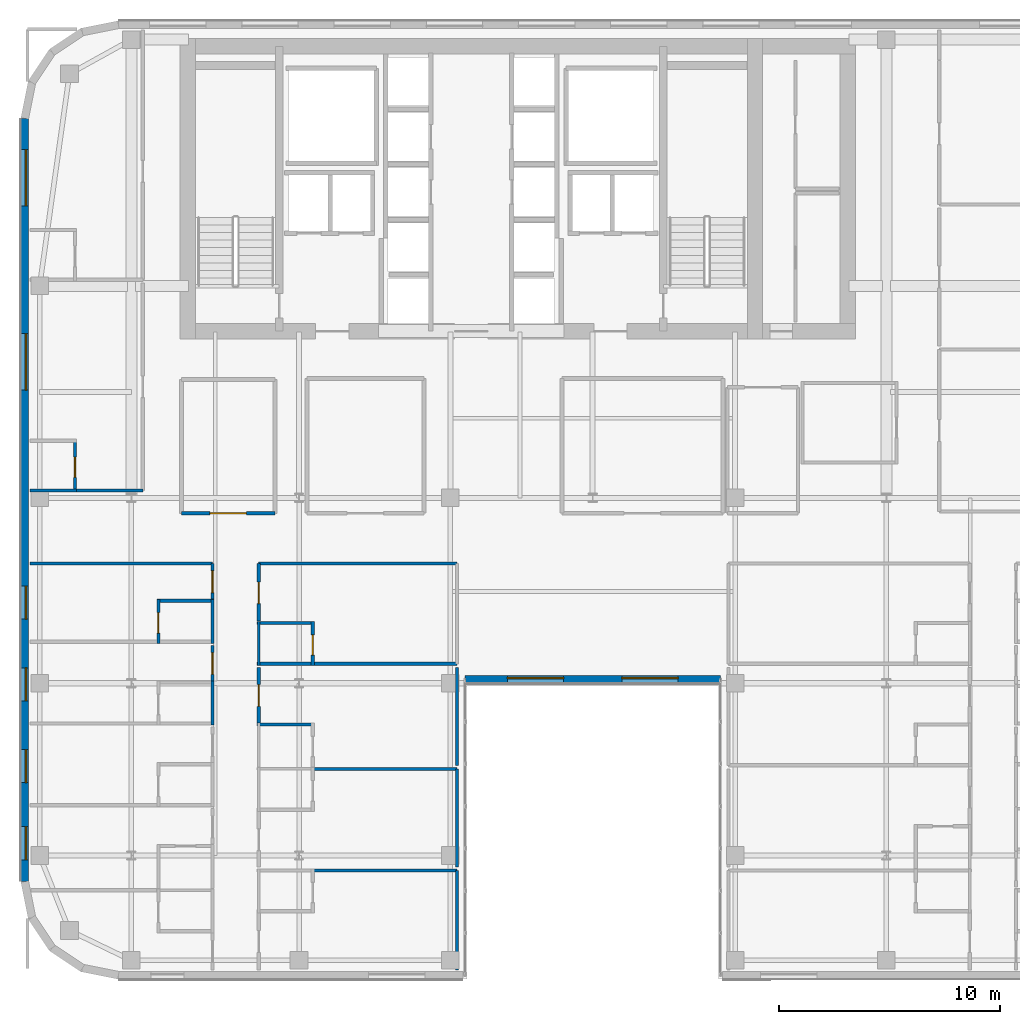
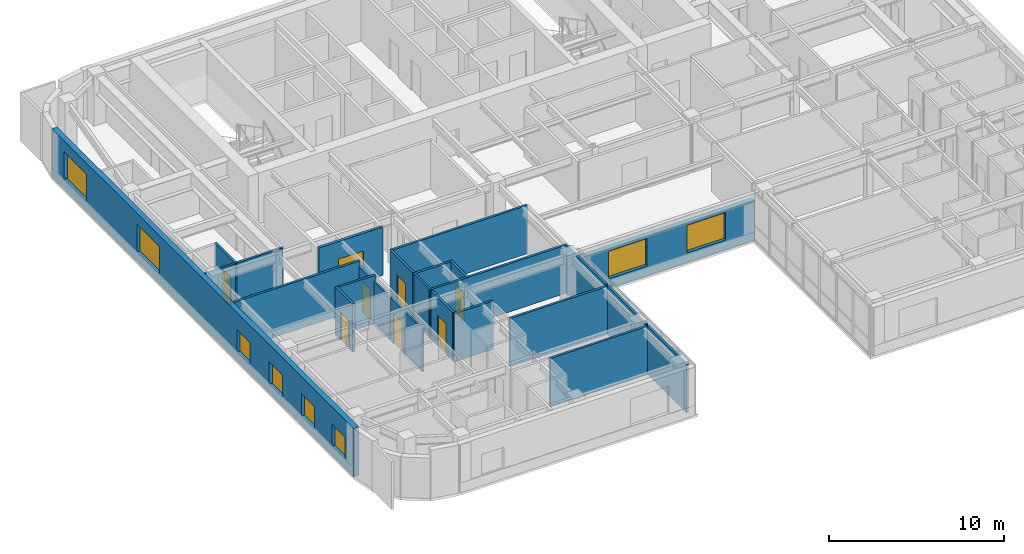
# One storey, part 10 of 21: 26 walls, 8 doors, 8 windows, 16 openings.
"""IFC4 building model written with IfcOpenShell, lengths in metres."""

import ifcopenshell
import ifcopenshell.guid

model = None  # the IFC model being written
_history = None  # IfcOwnerHistory: only IFC2X3 demands one
_inside = {}  # id of a spatial element -> (the spatial element, [elements in it])
_under = {}  # id of a project, library or spatial element -> (it, [spatial elements below it])
_declared = {}  # id of a project -> (the project, [libraries it declares])
_typed = {}  # id of a type object -> (the type object, [elements of that type])
_made_of = {}  # id of a material, layer set ... -> (it, [elements and type objects made of it])


def new_model(schema):
    """Start an empty IFC model of exactly this schema.

    Asked for "IFC4X3", IfcOpenShell would pick the latest addendum, in which some entities
    have other attributes; the version numbers below select the first issue.
    IFC2X3 requires an IfcOwnerHistory on every rooted entity: one is made here for all.
    """
    global model, _history
    if schema == "IFC4X3":
        model = ifcopenshell.file(schema_version=(4, 3, 0, 0))
    else:
        model = ifcopenshell.file(schema=schema)
    _inside.clear()
    _under.clear()
    _declared.clear()
    _typed.clear()
    _made_of.clear()
    _history = None
    if model.schema == "IFC2X3":
        org = make("IfcOrganization", Name="unknown")
        user = make(
            "IfcPersonAndOrganization",
            ThePerson=make("IfcPerson", FamilyName="unknown"),
            TheOrganization=org,
        )
        app = make(
            "IfcApplication",
            ApplicationDeveloper=org,
            Version="unknown",
            ApplicationFullName="unknown",
            ApplicationIdentifier="unknown",
        )
        _history = make(
            "IfcOwnerHistory",
            OwningUser=user,
            OwningApplication=app,
            ChangeAction="ADDED",
            CreationDate=0,
        )
    return model


def make(cls, **values):
    """One entity of the class cls with the attributes given. An attribute that is None is left unset."""
    return model.create_entity(
        cls, **{name: value for name, value in values.items() if value is not None}
    )


def rooted(cls, **values):
    """An entity with a GlobalId (a new one), such as an element, a storey or a relation."""
    return make(cls, GlobalId=ifcopenshell.guid.new(), OwnerHistory=_history, **values)


def si_unit(unit_type, name, prefix=None):
    """IfcSIUnit, for example si_unit("LENGTHUNIT", "METRE", prefix="MILLI")."""
    return make("IfcSIUnit", UnitType=unit_type, Prefix=prefix, Name=name)


def assignment(units):
    """IfcUnitAssignment: the units of a project."""
    return None if units is None else make("IfcUnitAssignment", Units=units)


def point(xyz):
    """IfcCartesianPoint."""
    return None if xyz is None else make("IfcCartesianPoint", Coordinates=xyz)


def direction(xyz):
    """IfcDirection."""
    return None if xyz is None else make("IfcDirection", DirectionRatios=xyz)


def frame(location, z_axis=None, x_axis=None):
    """IfcAxis2Placement3D, a coordinate frame: its origin and axes. An axis left out is left unset."""
    return make(
        "IfcAxis2Placement3D",
        Location=point(location),
        Axis=direction(z_axis),
        RefDirection=direction(x_axis),
    )


def frame_2d(location, x_axis=None):
    """IfcAxis2Placement2D, a coordinate frame in the plane: its origin and x axis."""
    return make(
        "IfcAxis2Placement2D", Location=point(location), RefDirection=direction(x_axis)
    )


def origin():
    """The frame at (0, 0, 0) with its axes left unset."""
    return frame((0.0, 0.0, 0.0))


def place(relative_to, where):
    """IfcLocalPlacement: puts the frame where relative to a parent placement (None: the world)."""
    return make(
        "IfcLocalPlacement", PlacementRelTo=relative_to, RelativePlacement=where
    )


def context(
    kind, dimensions, precision=None, world=None, true_north=None, identifier=None
):
    """IfcGeometricRepresentationContext, for example the 3D "Model" context."""
    return make(
        "IfcGeometricRepresentationContext",
        ContextIdentifier=identifier,
        ContextType=kind,
        CoordinateSpaceDimension=dimensions,
        Precision=precision,
        WorldCoordinateSystem=world,
        TrueNorth=true_north,
    )


def subcontext(parent, identifier, kind, view, scale=None):
    """IfcGeometricRepresentationSubContext, for example "Body" below "Model"."""
    return make(
        "IfcGeometricRepresentationSubContext",
        ContextIdentifier=identifier,
        ContextType=kind,
        ParentContext=parent,
        TargetScale=scale,
        TargetView=view,
    )


def project(units=None, contexts=None):
    """IfcProject with its units and contexts."""
    return rooted(
        "IfcProject",
        Name="project",
        RepresentationContexts=contexts,
        UnitsInContext=assignment(units),
    )


def spatial(cls, under=None, at=None, **own):
    """A site, building, storey or space (cls), placed at a placement, below another one or the project."""
    s = rooted(cls, ObjectPlacement=at, **own)
    if under is not None:
        _under.setdefault(under.id(), (under, []))[1].append(s)
    return s


def profile(cls, at=None, kind="AREA", **sizes):
    """A parametric profile (cls). Its sizes go by their IFC names, for example OverallWidth=200.0."""
    return make(cls, ProfileType=kind, Position=at, **sizes)


def rectangle(**sizes):
    """IfcRectangleProfileDef."""
    return profile("IfcRectangleProfileDef", **sizes)


def extrude(swept, where, along, depth):
    """IfcExtrudedAreaSolid: the profile swept, set in the frame where, extruded along a direction by depth."""
    return make(
        "IfcExtrudedAreaSolid",
        SweptArea=swept,
        Position=where,
        ExtrudedDirection=direction(along),
        Depth=depth,
    )


def shape(context_of_items, identifier, shape_type, items):
    """IfcShapeRepresentation: the items that make up one representation, for example the "Body"."""
    return make(
        "IfcShapeRepresentation",
        ContextOfItems=context_of_items,
        RepresentationIdentifier=identifier,
        RepresentationType=shape_type,
        Items=items,
    )


def source(mapping_origin, context_of_items, identifier, shape_type, items):
    """IfcRepresentationMap: a shape defined once, which mapped items show again and again."""
    return make(
        "IfcRepresentationMap",
        MappingOrigin=mapping_origin,
        MappedRepresentation=shape(context_of_items, identifier, shape_type, items),
    )


def transform(
    local_origin,
    x_axis=None,
    y_axis=None,
    z_axis=None,
    scale=None,
    scale2=None,
    scale3=None,
    uniform=True,
):
    """IfcCartesianTransformationOperator3D, or its non-uniform kind. x_axis, y_axis, z_axis: its Axis1, 2, 3."""
    if uniform:
        return make(
            "IfcCartesianTransformationOperator3D",
            Axis1=direction(x_axis),
            Axis2=direction(y_axis),
            LocalOrigin=point(local_origin),
            Scale=scale,
            Axis3=direction(z_axis),
        )
    return make(
        "IfcCartesianTransformationOperator3DnonUniform",
        Axis1=direction(x_axis),
        Axis2=direction(y_axis),
        LocalOrigin=point(local_origin),
        Scale=scale,
        Axis3=direction(z_axis),
        Scale2=scale2,
        Scale3=scale3,
    )


def mapped(mapping_source, mapping_target):
    """IfcMappedItem: shows the shape of a source again, moved by a transform."""
    return make(
        "IfcMappedItem", MappingSource=mapping_source, MappingTarget=mapping_target
    )


def material(Name=None, Category=None):
    """IfcMaterial."""
    return make("IfcMaterial", Name=Name, Category=Category)


def layer(
    of_material, thickness, ventilated=None, Name=None, Category=None, Priority=None
):
    """IfcMaterialLayer: one layer of a wall or slab, of a material (None: an air gap)."""
    return make(
        "IfcMaterialLayer",
        Material=of_material,
        LayerThickness=thickness,
        IsVentilated=ventilated,
        Name=Name,
        Category=Category,
        Priority=Priority,
    )


def layer_set(layers, Name=None):
    """IfcMaterialLayerSet."""
    return make("IfcMaterialLayerSet", MaterialLayers=layers, LayerSetName=Name)


def made_of(thing, what):
    """Note that an element or type object is made of a material, layer set ...; save() writes the relation."""
    if what is not None:
        _made_of.setdefault(what.id(), (what, []))[1].append(thing)
    return thing


def type_object(cls, material=None, **own):
    """A type object (cls), such as IfcWallType, which elements share."""
    return made_of(rooted(cls, **own), material)


def type_shapes(of_type, sources):
    """Give a type object the sources (RepresentationMaps) that its elements show as mapped items."""
    of_type.RepresentationMaps = sources


def element(
    cls,
    number,
    at=None,
    inside=None,
    cuts=None,
    type_object=None,
    material=None,
    context=None,
    identifier="Body",
    shape_type=None,
    held_by="IfcProductDefinitionShape",
    body=None,
    shapes=None,
    **own,
):
    """One element of the class cls, such as IfcWall. Its Tag is "e" and its number.

    at: its placement. inside: the storey or other place that contains it. cuts: it is an
    opening in that element (IfcRelVoidsElement). A single representation is given by context,
    identifier, shape_type and body (its items); several are given by shapes. held_by: the class
    of the entity that holds the representations. save() writes the other relations.
    """
    e = rooted(cls, Tag="e%d" % number, ObjectPlacement=at, **own)
    if body is not None:
        shapes = [shape(context, identifier, shape_type, body)]
    if shapes is not None:
        e.Representation = make(held_by, Representations=shapes)
    if inside is not None:
        _inside.setdefault(inside.id(), (inside, []))[1].append(e)
    if cuts is not None:
        rooted(
            "IfcRelVoidsElement", RelatingBuildingElement=cuts, RelatedOpeningElement=e
        )
    if type_object is not None:
        _typed.setdefault(type_object.id(), (type_object, []))[1].append(e)
    return made_of(e, material)


def fill(opening, filler):
    """IfcRelFillsElement: the door or window that sits in an opening."""
    return rooted(
        "IfcRelFillsElement",
        RelatingOpeningElement=opening,
        RelatedBuildingElement=filler,
    )


def aggregate(whole, parts):
    """IfcRelAggregates: a whole, such as a stair, and the parts it consists of."""
    return rooted("IfcRelAggregates", RelatingObject=whole, RelatedObjects=parts)


def save(model, path):
    """Write the relations noted so far, then the file.

    IfcRelAggregates (storeys below a building ...), IfcRelContainedInSpatialStructure (elements
    in a storey), IfcRelDefinesByType, IfcRelAssociatesMaterial and IfcRelDeclares: one each for
    every whole, place, type object, material and project.
    """
    for whole, parts in _under.values():
        aggregate(whole, parts)
    for where, things in _inside.values():
        rooted(
            "IfcRelContainedInSpatialStructure",
            RelatedElements=things,
            RelatingStructure=where,
        )
    for kind, things in _typed.values():
        rooted("IfcRelDefinesByType", RelatedObjects=things, RelatingType=kind)
    for what, things in _made_of.values():
        rooted("IfcRelAssociatesMaterial", RelatedObjects=things, RelatingMaterial=what)
    for by, libraries in _declared.values():
        rooted("IfcRelDeclares", RelatingContext=by, RelatedDefinitions=libraries)
    model.write(path)


model = new_model("IFC4")

# Units and contexts
model_context = context("Model", 3, precision=1e-05, world=origin(), true_north=direction((0.0, 1.0)))
body_context = subcontext(model_context, "Body", "Model", "MODEL_VIEW")
ifc_project = project(units=[si_unit("LENGTHUNIT", "METRE"), si_unit("AREAUNIT", "SQUARE_METRE"), si_unit("VOLUMEUNIT", "CUBIC_METRE"), si_unit("PLANEANGLEUNIT", "RADIAN"), si_unit("MASSUNIT", "GRAM", prefix="KILO")], contexts=[model_context])

# Site, building, storey
site_placement = place(None, origin())
site = spatial("IfcSite", under=ifc_project, at=site_placement, CompositionType="ELEMENT")
building_placement = place(site_placement, origin())
building = spatial("IfcBuilding", under=site, at=building_placement, Name="Tolvann Quenvar Hotel", CompositionType="ELEMENT")
storey_placement = place(building_placement, frame((0.0, 0.0, 161.25)))
storey = spatial("IfcBuildingStorey", under=building, at=storey_placement, Name="L42", CompositionType="ELEMENT", Elevation=161.25)

# Wall, openings, windows
ifc_material_1 = material(Name="Kiln-fired red and buff architectural clay brickwork and terracotta masonry", Category="masonry")
ifc_layer_1 = layer(ifc_material_1, 0.35009765625)
ifc_layer_set_1 = layer_set([ifc_layer_1], Name="Kiln-fired red and buff architectural clay brickwork and terracotta masonry")
wall_type_1 = type_object("IfcWallType", Name="WALL_EXT_BRICK_350", PredefinedType="SOLIDWALL", material=ifc_layer_set_1)
wall_1_placement = place(storey_placement, frame((22.7099609375, 16.175048828125, 0.0), z_axis=(0.0, 0.0, 1.0), x_axis=(1.0, 0.0, 0.0)))
wall_1 = element("IfcWall", 1, at=wall_1_placement, inside=storey, type_object=wall_type_1, Name="Exterior Chicago Brick Wall L42-E06", PredefinedType="SOLIDWALL", context=body_context, shape_type="SweptSolid", body=[
    extrude(rectangle(XDim=11.580078125, YDim=0.35009765625, at=frame_2d((5.7900390625, 0.0))), origin(), (0.0, 0.0, 1.0), 2.758056640625),
])
opening_1_placement = place(wall_1_placement, frame((1.919921875, 0.0, 0.679931640625)))
opening_1 = element("IfcOpeningElement", 2, at=opening_1_placement, cuts=wall_1, Name="Opening W-09", PredefinedType="OPENING", context=body_context, shape_type="SweptSolid", body=[
    extrude(rectangle(XDim=2.550048828125, YDim=1.919921875, at=frame_2d((1.27490234375, 0.9599609375))), frame((0.0, 0.18505859375, 0.0), z_axis=(0.0, -1.0, 0.0), x_axis=(1.0, 0.0, 0.0)), (0.0, 0.0, 1.0), 0.3701171875),
])
opening_2_placement = place(wall_1_placement, frame((7.110107421875, 0.0, 0.679931640625)))
opening_2 = element("IfcOpeningElement", 3, at=opening_2_placement, cuts=wall_1, Name="Opening W-09", PredefinedType="OPENING", context=body_context, shape_type="SweptSolid", body=[
    extrude(rectangle(XDim=2.550048828125, YDim=1.919921875, at=frame_2d((1.27490234375, 0.9599609375))), frame((0.0, 0.18505859375, 0.0), z_axis=(0.0, -1.0, 0.0), x_axis=(1.0, 0.0, 0.0)), (0.0, 0.0, 1.0), 0.3701171875),
])
ifc_material_2 = material(Name="Thermally broken bronze-anodised aluminium frame with double low-E glazing", Category="aluminium")
window_type_1 = type_object("IfcWindowType", Name="WIN_LNG_2550x1950", PartitioningType="TRIPLE_PANEL_HORIZONTAL", PredefinedType="WINDOW", material=ifc_material_2)
shared_shape_1 = source(origin(), body_context, "Body", "SweptSolid", [
    extrude(rectangle(XDim=2.550048828125, YDim=1.919921875, at=frame_2d((1.27490234375, 0.9599609375))), frame((0.0, 0.090087890625, 0.0), z_axis=(0.0, -1.0, 0.0), x_axis=(1.0, 0.0, 0.0)), (0.0, 0.0, 1.0), 0.06005859375),
])
type_shapes(window_type_1, [shared_shape_1])
window_1_placement = place(opening_1_placement, origin())
window_1 = element("IfcWindow", 4, at=window_1_placement, inside=storey, type_object=window_type_1, Name="Chicago Window W-09 (EW-L42-E06-W01)", OverallHeight=1.919921875, OverallWidth=2.550048828125, PartitioningType="TRIPLE_PANEL_HORIZONTAL", PredefinedType="WINDOW", context=body_context, shape_type="MappedRepresentation", body=[
    mapped(shared_shape_1, transform((0.0, 0.0, 0.0), x_axis=(1.0, 0.0, 0.0), y_axis=(0.0, 1.0, 0.0), z_axis=(0.0, 0.0, 1.0), scale=1.0)),
])
fill(opening_1, window_1)
window_2_placement = place(opening_2_placement, origin())
window_2 = element("IfcWindow", 5, at=window_2_placement, inside=storey, type_object=window_type_1, Name="Chicago Window W-09 (EW-L42-E06-W02)", OverallHeight=1.919921875, OverallWidth=2.550048828125, PartitioningType="TRIPLE_PANEL_HORIZONTAL", PredefinedType="WINDOW", context=body_context, shape_type="MappedRepresentation", body=[
    mapped(shared_shape_1, transform((0.0, 0.0, 0.0), x_axis=(1.0, 0.0, 0.0), y_axis=(0.0, 1.0, 0.0), z_axis=(0.0, 0.0, 1.0), scale=1.0)),
])
fill(opening_2, window_2)

wall_2_placement = place(storey_placement, frame((2.77490234375, 41.582763671875, 0.0), z_axis=(0.0, 0.0, 1.0), x_axis=(0.0, -1.0, 0.0)))
wall_2 = element("IfcWall", 6, at=wall_2_placement, inside=storey, type_object=wall_type_1, Name="Exterior Chicago Brick Wall L42-E23", PredefinedType="SOLIDWALL", context=body_context, shape_type="SweptSolid", body=[
    extrude(rectangle(XDim=34.565673828125, YDim=0.35009765625, at=frame_2d((17.28271484375, 0.0))), origin(), (0.0, 0.0, 1.0), 3.3701171875),
])
opening_3_placement = place(wall_2_placement, frame((1.409912109375, 0.0, 0.679931640625)))
opening_3 = element("IfcOpeningElement", 7, at=opening_3_placement, cuts=wall_2, Name="Opening W-09", PredefinedType="OPENING", context=body_context, shape_type="SweptSolid", body=[
    extrude(rectangle(XDim=2.550048828125, YDim=1.919921875, at=frame_2d((1.27490234375, 0.9599609375))), frame((0.0, 0.18505859375, 0.0), z_axis=(0.0, -1.0, 0.0), x_axis=(1.0, 0.0, 0.0)), (0.0, 0.0, 1.0), 0.3701171875),
])
opening_4_placement = place(wall_2_placement, frame((9.751953125, 0.0, 0.679931640625)))
opening_4 = element("IfcOpeningElement", 8, at=opening_4_placement, cuts=wall_2, Name="Opening W-09", PredefinedType="OPENING", context=body_context, shape_type="SweptSolid", body=[
    extrude(rectangle(XDim=2.550048828125, YDim=1.919921875, at=frame_2d((1.27490234375, 0.9599609375))), frame((0.0, 0.18505859375, 0.0), z_axis=(0.0, -1.0, 0.0), x_axis=(1.0, 0.0, 0.0)), (0.0, 0.0, 1.0), 0.3701171875),
])
opening_5_placement = place(wall_2_placement, frame((32.0791015625, 0.0, 0.6201171875)))
opening_5 = element("IfcOpeningElement", 9, at=opening_5_placement, cuts=wall_2, Name="Opening W-08", PredefinedType="OPENING", context=body_context, shape_type="SweptSolid", body=[
    extrude(rectangle(XDim=1.5, YDim=1.550048828125, at=frame_2d((0.75, 0.77490234375))), frame((0.0, 0.18505859375, 0.0), z_axis=(0.0, -1.0, 0.0), x_axis=(1.0, 0.0, 0.0)), (0.0, 0.0, 1.0), 0.3701171875),
])
opening_6_placement = place(wall_2_placement, frame((28.5830078125, 0.0, 0.6201171875)))
opening_6 = element("IfcOpeningElement", 10, at=opening_6_placement, cuts=wall_2, Name="Opening W-08", PredefinedType="OPENING", context=body_context, shape_type="SweptSolid", body=[
    extrude(rectangle(XDim=1.5, YDim=1.550048828125, at=frame_2d((0.75, 0.77490234375))), frame((0.0, 0.18505859375, 0.0), z_axis=(0.0, -1.0, 0.0), x_axis=(1.0, 0.0, 0.0)), (0.0, 0.0, 1.0), 0.3701171875),
])
opening_7_placement = place(wall_2_placement, frame((24.883056640625, 0.0, 0.6201171875)))
opening_7 = element("IfcOpeningElement", 11, at=opening_7_placement, cuts=wall_2, Name="Opening W-08", PredefinedType="OPENING", context=body_context, shape_type="SweptSolid", body=[
    extrude(rectangle(XDim=1.5, YDim=1.550048828125, at=frame_2d((0.75, 0.77490234375))), frame((0.0, 0.18505859375, 0.0), z_axis=(0.0, -1.0, 0.0), x_axis=(1.0, 0.0, 0.0)), (0.0, 0.0, 1.0), 0.3701171875),
])
opening_8_placement = place(wall_2_placement, frame((21.18310546875, 0.0, 0.6201171875)))
opening_8 = element("IfcOpeningElement", 12, at=opening_8_placement, cuts=wall_2, Name="Opening W-08", PredefinedType="OPENING", context=body_context, shape_type="SweptSolid", body=[
    extrude(rectangle(XDim=1.5, YDim=1.550048828125, at=frame_2d((0.75, 0.77490234375))), frame((0.0, 0.18505859375, 0.0), z_axis=(0.0, -1.0, 0.0), x_axis=(1.0, 0.0, 0.0)), (0.0, 0.0, 1.0), 0.3701171875),
])
window_type_2 = type_object("IfcWindowType", Name="WIN_COR_1500x2050", PartitioningType="SINGLE_PANEL", PredefinedType="WINDOW", material=ifc_material_2)
shared_shape_2 = source(origin(), body_context, "Body", "SweptSolid", [
    extrude(rectangle(XDim=1.5, YDim=1.550048828125, at=frame_2d((0.75, 0.77490234375))), frame((0.0, 0.090087890625, 0.0), z_axis=(0.0, -1.0, 0.0), x_axis=(1.0, 0.0, 0.0)), (0.0, 0.0, 1.0), 0.06005859375),
])
type_shapes(window_type_2, [shared_shape_2])
window_3_placement = place(opening_5_placement, origin())
window_3 = element("IfcWindow", 13, at=window_3_placement, inside=storey, type_object=window_type_2, Name="Chicago Window W-08 (EW-L42-E23-WD03)", OverallHeight=1.550048828125, OverallWidth=1.5, PartitioningType="SINGLE_PANEL", PredefinedType="WINDOW", context=body_context, shape_type="MappedRepresentation", body=[
    mapped(shared_shape_2, transform((0.0, 0.0, 0.0), x_axis=(1.0, 0.0, 0.0), y_axis=(0.0, 1.0, 0.0), z_axis=(0.0, 0.0, 1.0), scale=1.0)),
])
fill(opening_5, window_3)
window_4_placement = place(opening_6_placement, origin())
window_4 = element("IfcWindow", 14, at=window_4_placement, inside=storey, type_object=window_type_2, Name="Chicago Window W-08 (EW-L42-E23-WD04)", OverallHeight=1.550048828125, OverallWidth=1.5, PartitioningType="SINGLE_PANEL", PredefinedType="WINDOW", context=body_context, shape_type="MappedRepresentation", body=[
    mapped(shared_shape_2, transform((0.0, 0.0, 0.0), x_axis=(1.0, 0.0, 0.0), y_axis=(0.0, 1.0, 0.0), z_axis=(0.0, 0.0, 1.0), scale=1.0)),
])
fill(opening_6, window_4)
window_5_placement = place(opening_7_placement, origin())
window_5 = element("IfcWindow", 15, at=window_5_placement, inside=storey, type_object=window_type_2, Name="Chicago Window W-08 (EW-L42-E23-WD05)", OverallHeight=1.550048828125, OverallWidth=1.5, PartitioningType="SINGLE_PANEL", PredefinedType="WINDOW", context=body_context, shape_type="MappedRepresentation", body=[
    mapped(shared_shape_2, transform((0.0, 0.0, 0.0), x_axis=(1.0, 0.0, 0.0), y_axis=(0.0, 1.0, 0.0), z_axis=(0.0, 0.0, 1.0), scale=1.0)),
])
fill(opening_7, window_5)
window_6_placement = place(opening_8_placement, origin())
window_6 = element("IfcWindow", 16, at=window_6_placement, inside=storey, type_object=window_type_2, Name="Chicago Window W-08 (EW-L42-E23-WD06)", OverallHeight=1.550048828125, OverallWidth=1.5, PartitioningType="SINGLE_PANEL", PredefinedType="WINDOW", context=body_context, shape_type="MappedRepresentation", body=[
    mapped(shared_shape_2, transform((0.0, 0.0, 0.0), x_axis=(1.0, 0.0, 0.0), y_axis=(0.0, 1.0, 0.0), z_axis=(0.0, 0.0, 1.0), scale=1.0)),
])
fill(opening_8, window_6)
window_7_placement = place(opening_3_placement, origin())
window_7 = element("IfcWindow", 17, at=window_7_placement, inside=storey, type_object=window_type_1, Name="Chicago Window W-09 (EW-L42-E23-W01)", OverallHeight=1.919921875, OverallWidth=2.550048828125, PartitioningType="TRIPLE_PANEL_HORIZONTAL", PredefinedType="WINDOW", context=body_context, shape_type="MappedRepresentation", body=[
    mapped(shared_shape_1, transform((0.0, 0.0, 0.0), x_axis=(1.0, 0.0, 0.0), y_axis=(0.0, 1.0, 0.0), z_axis=(0.0, 0.0, 1.0), scale=1.0)),
])
fill(opening_3, window_7)
window_8_placement = place(opening_4_placement, origin())
window_8 = element("IfcWindow", 18, at=window_8_placement, inside=storey, type_object=window_type_1, Name="Chicago Window W-09 (EW-L42-E23-W02)", OverallHeight=1.919921875, OverallWidth=2.550048828125, PartitioningType="TRIPLE_PANEL_HORIZONTAL", PredefinedType="WINDOW", context=body_context, shape_type="MappedRepresentation", body=[
    mapped(shared_shape_1, transform((0.0, 0.0, 0.0), x_axis=(1.0, 0.0, 0.0), y_axis=(0.0, 1.0, 0.0), z_axis=(0.0, 0.0, 1.0), scale=1.0)),
])
fill(opening_4, window_8)

# Wall, opening, door
ifc_material_3 = material(Name="Acoustic twin-stud fire-rated gypsum plasterboard partition")
ifc_layer_2 = layer(ifc_material_3, 0.179931640625)
ifc_layer_set_2 = layer_set([ifc_layer_2], Name="Acoustic twin-stud fire-rated gypsum plasterboard partition")
wall_type_2 = type_object("IfcWallType", Name="WALL_PART_ACOUSTIC_180", PredefinedType="PARTITIONING", material=ifc_layer_set_2)
wall_3_placement = place(storey_placement, frame((9.8798828125, 23.699951171875, 0.0), z_axis=(0.0, 0.0, 1.0), x_axis=(1.0, 0.0, 0.0)))
wall_3 = element("IfcWall", 19, at=wall_3_placement, inside=storey, type_object=wall_type_2, Name="Interior Partition PT-SPC-L42-MSP-W-S", PredefinedType="PARTITIONING", context=body_context, shape_type="SweptSolid", body=[
    extrude(rectangle(XDim=4.22021484375, YDim=0.179931640625, at=frame_2d((2.110107421875, 0.0))), origin(), (0.0, 0.0, 1.0), 3.3701171875),
])
opening_9_placement = place(wall_3_placement, frame((1.284912109375, 0.0, 0.0)))
opening_9 = element("IfcOpeningElement", 20, at=opening_9_placement, cuts=wall_3, Name="Opening AD-01", PredefinedType="OPENING", context=body_context, shape_type="SweptSolid", body=[
    extrude(rectangle(XDim=1.64990234375, YDim=2.14990234375, at=frame_2d((0.824951171875, 1.074951171875))), frame((0.0, 0.10009765625, 0.0), z_axis=(0.0, -1.0, 0.0), x_axis=(1.0, 0.0, 0.0)), (0.0, 0.0, 1.0), 0.199951171875),
])
ifc_material_4 = material(Name="Solid-core American oak acoustic fire door leaf in steel frame", Category="steel")
door_type_1 = type_object("IfcDoorType", Name="DOOR_SALON_1650", OperationType="NOTDEFINED", PredefinedType="DOOR", material=ifc_material_4)
shared_shape_3 = source(origin(), body_context, "Body", "SweptSolid", [
    extrude(rectangle(XDim=1.64990234375, YDim=2.14990234375, at=frame_2d((0.824951171875, 1.074951171875))), frame((0.0, 0.02490234375, 0.0), z_axis=(0.0, -1.0, 0.0), x_axis=(1.0, 0.0, 0.0)), (0.0, 0.0, 1.0), 0.050048828125),
])
type_shapes(door_type_1, [shared_shape_3])
door_1_placement = place(opening_9_placement, origin())
door_1 = element("IfcDoor", 21, at=door_1_placement, inside=storey, type_object=door_type_1, Name="Interior Door DOOR-SPC-L42-MSP-W", OperationType="DOUBLE_DOOR_SINGLE_SWING", OverallHeight=2.14990234375, OverallWidth=1.64990234375, PredefinedType="DOOR", context=body_context, shape_type="MappedRepresentation", body=[
    mapped(shared_shape_3, transform((0.0, 0.0, 0.0), x_axis=(1.0, 0.0, 0.0), y_axis=(0.0, 1.0, 0.0), z_axis=(0.0, 0.0, 1.0), scale=1.0)),
])
fill(opening_9, door_1)

# Walls
ifc_material_5 = material(Name="Moisture-resistant acoustic plumbing wall assembly")
ifc_layer_3 = layer(ifc_material_5, 0.1201171875)
ifc_layer_set_3 = layer_set([ifc_layer_3], Name="Moisture-resistant acoustic plumbing wall assembly")
wall_type_3 = type_object("IfcWallType", Name="WALL_PART_BATH_120", PredefinedType="PLUMBINGWALL", material=ifc_layer_set_3)
for number, where, z_axis, x_axis, name in (
    (22, (11.280029296875, 14.110107421875, 0.0), (0.0, 0.0, 1.0), (0.0, 1.0, 0.0), "Non-Rated Plumbing Partition PT-SPC-L42-ENS-WO04-E"),
    (23, (11.280029296875, 17.81005859375, 0.0), (0.0, 0.0, 1.0), (0.0, 1.0, 0.0), "Non-Rated Plumbing Partition PT-SPC-L42-ENS-WO05-E"),
):
    element("IfcWall", number, at=place(storey_placement, frame(where, z_axis=z_axis, x_axis=x_axis)), inside=storey, type_object=wall_type_3, Name=name, PredefinedType="PLUMBINGWALL", context=body_context, shape_type="SweptSolid", body=[
        extrude(rectangle(XDim=1.989990234375, YDim=0.1201171875, at=frame_2d((0.9951171875, 0.0))), origin(), (0.0, 0.0, 1.0), 3.0009765625),
    ])
wall_4_placement = place(storey_placement, frame((13.3701171875, 16.81005859375, 0.0), z_axis=(0.0, 0.0, 1.0), x_axis=(0.0, 1.0, 0.0)))
element("IfcWall", 24, at=wall_4_placement, inside=storey, type_object=wall_type_3, Name="Non-Rated Plumbing Partition PT-SPC-L42-ENS-WI04-W", PredefinedType="PLUMBINGWALL", context=body_context, shape_type="SweptSolid", body=[
    extrude(rectangle(XDim=1.989990234375, YDim=0.1201171875, at=frame_2d((0.9951171875, 0.0))), origin(), (0.0, 0.0, 1.0), 3.3701171875),
])
wall_5_placement = place(storey_placement, frame((3.0048828125, 24.72998046875, 0.0), z_axis=(0.0, 0.0, 1.0), x_axis=(1.0, 0.0, 0.0)))
element("IfcWall", 25, at=wall_5_placement, inside=storey, type_object=wall_type_3, Name="Non-Rated Plumbing Partition PT-SPC-L42-ENS-NW01-S", PredefinedType="PLUMBINGWALL", context=body_context, shape_type="SweptSolid", body=[
    extrude(rectangle(XDim=2.115234375, YDim=0.1201171875, at=frame_2d((1.0576171875, 0.0))), origin(), (0.0, 0.0, 1.0), 3.3701171875),
])

# Wall, opening, door
ifc_layer_4 = layer(ifc_material_3, 0.14990234375)
ifc_layer_set_4 = layer_set([ifc_layer_4], Name="Acoustic twin-stud fire-rated gypsum plasterboard partition")
wall_type_4 = type_object("IfcWallType", Name="WALL_PART_SUITE_150", PredefinedType="PARTITIONING", material=ifc_layer_set_4)
wall_6_placement = place(storey_placement, frame((8.830078125, 17.81005859375, 0.0), z_axis=(0.0, 0.0, 1.0), x_axis=(0.0, 1.0, 0.0)))
wall_6 = element("IfcWall", 26, at=wall_6_placement, inside=storey, type_object=wall_type_4, Name="Interior Partition PT-SPC-L42-ENS-WO05-ENT", PredefinedType="PARTITIONING", context=body_context, shape_type="SweptSolid", body=[
    extrude(rectangle(XDim=1.989990234375, YDim=0.14990234375, at=frame_2d((0.9951171875, 0.0))), origin(), (0.0, 0.0, 1.0), 3.3701171875),
])
opening_10_placement = place(wall_6_placement, frame((0.465087890625, 0.0, 0.0)))
opening_10 = element("IfcOpeningElement", 27, at=opening_10_placement, cuts=wall_6, Name="Opening WD-01", PredefinedType="OPENING", context=body_context, shape_type="SweptSolid", body=[
    extrude(rectangle(XDim=0.919921875, YDim=2.010009765625, at=frame_2d((0.4599609375, 1.0048828125))), frame((0.0, 0.0849609375, 0.0), z_axis=(0.0, -1.0, 0.0), x_axis=(1.0, 0.0, 0.0)), (0.0, 0.0, 1.0), 0.169921875),
])
door_type_2 = type_object("IfcDoorType", Name="DOOR_WC_920", OperationType="NOTDEFINED", PredefinedType="DOOR", material=ifc_material_4)
shared_shape_4 = source(origin(), body_context, "Body", "SweptSolid", [
    extrude(rectangle(XDim=0.919921875, YDim=2.010009765625, at=frame_2d((0.4599609375, 1.0048828125))), frame((0.0, 0.02490234375, 0.0), z_axis=(0.0, -1.0, 0.0), x_axis=(1.0, 0.0, 0.0)), (0.0, 0.0, 1.0), 0.050048828125),
])
type_shapes(door_type_2, [shared_shape_4])
door_2_placement = place(opening_10_placement, origin())
door_2 = element("IfcDoor", 28, at=door_2_placement, inside=storey, type_object=door_type_2, Name="Interior Door DOOR-SPC-L42-ENS-WO05", OperationType="SINGLE_SWING_RIGHT", OverallHeight=2.010009765625, OverallWidth=0.919921875, PredefinedType="DOOR", context=body_context, shape_type="MappedRepresentation", body=[
    mapped(shared_shape_4, transform((0.0, 0.0, 0.0), x_axis=(1.0, 0.0, 0.0), y_axis=(0.0, 1.0, 0.0), z_axis=(0.0, 0.0, 1.0), scale=1.0)),
])
fill(opening_10, door_2)

# Walls
wall_7_placement = place(storey_placement, frame((8.760009765625, 19.72998046875, 0.0), z_axis=(0.0, 0.0, 1.0), x_axis=(1.0, 0.0, 0.0)))
element("IfcWall", 29, at=wall_7_placement, inside=storey, type_object=wall_type_4, Name="Interior Partition PT-SPC-L42-ENS-WO05-N", PredefinedType="PARTITIONING", context=body_context, shape_type="SweptSolid", body=[
    extrude(rectangle(XDim=2.590087890625, YDim=0.14990234375, at=frame_2d((1.294921875, 0.0))), origin(), (0.0, 0.0, 1.0), 3.3701171875),
])
wall_8_placement = place(storey_placement, frame((13.300048828125, 14.1298828125, 0.0), z_axis=(0.0, 0.0, 1.0), x_axis=(1.0, 0.0, 0.0)))
element("IfcWall", 30, at=wall_8_placement, inside=storey, type_object=wall_type_4, Name="Interior Partition PT-SPC-L42-ENS-WI03-N", PredefinedType="PARTITIONING", context=body_context, shape_type="SweptSolid", body=[
    extrude(rectangle(XDim=2.58984375, YDim=0.14990234375, at=frame_2d((1.294921875, 0.0))), origin(), (0.0, 0.0, 1.0), 3.3701171875),
])

# Wall, opening, door
wall_9_placement = place(storey_placement, frame((15.820068359375, 16.81005859375, 0.0), z_axis=(0.0, 0.0, 1.0), x_axis=(0.0, 1.0, 0.0)))
wall_9 = element("IfcWall", 31, at=wall_9_placement, inside=storey, type_object=wall_type_4, Name="Interior Partition PT-SPC-L42-ENS-WI04-ENT", PredefinedType="PARTITIONING", context=body_context, shape_type="SweptSolid", body=[
    extrude(rectangle(XDim=1.989990234375, YDim=0.14990234375, at=frame_2d((0.9951171875, 0.0))), origin(), (0.0, 0.0, 1.0), 3.3701171875),
])
opening_11_placement = place(wall_9_placement, frame((0.465087890625, 0.0, 0.0)))
opening_11 = element("IfcOpeningElement", 32, at=opening_11_placement, cuts=wall_9, Name="Opening WD-01", PredefinedType="OPENING", context=body_context, shape_type="SweptSolid", body=[
    extrude(rectangle(XDim=0.919921875, YDim=2.010009765625, at=frame_2d((0.4599609375, 1.0048828125))), frame((0.0, 0.0849609375, 0.0), z_axis=(0.0, -1.0, 0.0), x_axis=(1.0, 0.0, 0.0)), (0.0, 0.0, 1.0), 0.169921875),
])
door_3_placement = place(opening_11_placement, origin())
door_3 = element("IfcDoor", 33, at=door_3_placement, inside=storey, type_object=door_type_2, Name="Interior Door DOOR-SPC-L42-ENS-WI04", OperationType="SINGLE_SWING_RIGHT", OverallHeight=2.010009765625, OverallWidth=0.919921875, PredefinedType="DOOR", context=body_context, shape_type="MappedRepresentation", body=[
    mapped(shared_shape_4, transform((0.0, 0.0, 0.0), x_axis=(1.0, 0.0, 0.0), y_axis=(0.0, 1.0, 0.0), z_axis=(0.0, 0.0, 1.0), scale=1.0)),
])
fill(opening_11, door_3)

# Walls
wall_10_placement = place(storey_placement, frame((13.300048828125, 16.8798828125, 0.0), z_axis=(0.0, 0.0, 1.0), x_axis=(1.0, 0.0, 0.0)))
element("IfcWall", 34, at=wall_10_placement, inside=storey, type_object=wall_type_4, Name="Interior Partition PT-SPC-L42-ENS-WI04-S", PredefinedType="PARTITIONING", context=body_context, shape_type="SweptSolid", body=[
    extrude(rectangle(XDim=9.050048828125, YDim=0.14990234375, at=frame_2d((4.52490234375, 0.0))), origin(), (0.0, 0.0, 1.0), 3.3701171875),
])
wall_11_placement = place(storey_placement, frame((13.300048828125, 18.72998046875, 0.0), z_axis=(0.0, 0.0, 1.0), x_axis=(1.0, 0.0, 0.0)))
element("IfcWall", 35, at=wall_11_placement, inside=storey, type_object=wall_type_4, Name="Interior Partition PT-SPC-L42-ENS-WI04-N", PredefinedType="PARTITIONING", context=body_context, shape_type="SweptSolid", body=[
    extrude(rectangle(XDim=2.58984375, YDim=0.14990234375, at=frame_2d((1.294921875, 0.0))), origin(), (0.0, 0.0, 1.0), 3.3701171875),
])

# Wall, opening, door
wall_12_placement = place(storey_placement, frame((5.050048828125, 24.659912109375, 0.0), z_axis=(0.0, 0.0, 1.0), x_axis=(0.0, 1.0, 0.0)))
wall_12 = element("IfcWall", 36, at=wall_12_placement, inside=storey, type_object=wall_type_4, Name="Interior Partition PT-SPC-L42-ENS-NW01-ENT", PredefinedType="PARTITIONING", context=body_context, shape_type="SweptSolid", body=[
    extrude(rectangle(XDim=2.39013671875, YDim=0.14990234375, at=frame_2d((1.195068359375, 0.0))), origin(), (0.0, 0.0, 1.0), 3.3701171875),
])
opening_12_placement = place(wall_12_placement, frame((0.6650390625, 0.0, 0.0)))
opening_12 = element("IfcOpeningElement", 37, at=opening_12_placement, cuts=wall_12, Name="Opening WD-01", PredefinedType="OPENING", context=body_context, shape_type="SweptSolid", body=[
    extrude(rectangle(XDim=0.919921875, YDim=2.010009765625, at=frame_2d((0.4599609375, 1.0048828125))), frame((0.0, 0.0849609375, 0.0), z_axis=(0.0, -1.0, 0.0), x_axis=(1.0, 0.0, 0.0)), (0.0, 0.0, 1.0), 0.169921875),
])
door_4_placement = place(opening_12_placement, origin())
door_4 = element("IfcDoor", 38, at=door_4_placement, inside=storey, type_object=door_type_2, Name="Interior Door DOOR-SPC-L42-ENS-NW01", OperationType="SINGLE_SWING_RIGHT", OverallHeight=2.010009765625, OverallWidth=0.919921875, PredefinedType="DOOR", context=body_context, shape_type="MappedRepresentation", body=[
    mapped(shared_shape_4, transform((0.0, 0.0, 0.0), x_axis=(1.0, 0.0, 0.0), y_axis=(0.0, 1.0, 0.0), z_axis=(0.0, 0.0, 1.0), scale=1.0)),
])
fill(opening_12, door_4)

wall_13_placement = place(storey_placement, frame((11.280029296875, 16.110107421875, 0.0), z_axis=(0.0, 0.0, 1.0), x_axis=(0.0, 1.0, 0.0)))
wall_13 = element("IfcWall", 39, at=wall_13_placement, inside=storey, type_object=wall_type_4, Name="Interior Partition PT-SPC-L42-RM-WO04-ENT", PredefinedType="PARTITIONING", context=body_context, shape_type="SweptSolid", body=[
    extrude(rectangle(XDim=1.60986328125, YDim=0.14990234375, at=frame_2d((0.804931640625, 0.0))), origin(), (0.0, 0.0, 1.0), 3.0009765625),
])
opening_13_placement = place(wall_13_placement, frame((0.294921875, 0.0, 0.0)))
opening_13 = element("IfcOpeningElement", 40, at=opening_13_placement, cuts=wall_13, Name="Opening SD-01", PredefinedType="OPENING", context=body_context, shape_type="SweptSolid", body=[
    extrude(rectangle(XDim=0.97998046875, YDim=2.1201171875, at=frame_2d((0.489990234375, 1.06005859375))), frame((0.0, 0.0849609375, 0.0), z_axis=(0.0, -1.0, 0.0), x_axis=(1.0, 0.0, 0.0)), (0.0, 0.0, 1.0), 0.169921875),
])
door_type_3 = type_object("IfcDoorType", Name="DOOR_SUITE_980", OperationType="NOTDEFINED", PredefinedType="DOOR", material=ifc_material_4)
shared_shape_5 = source(origin(), body_context, "Body", "SweptSolid", [
    extrude(rectangle(XDim=0.97998046875, YDim=2.1201171875, at=frame_2d((0.489990234375, 1.06005859375))), frame((0.0, 0.02490234375, 0.0), z_axis=(0.0, -1.0, 0.0), x_axis=(1.0, 0.0, 0.0)), (0.0, 0.0, 1.0), 0.050048828125),
])
type_shapes(door_type_3, [shared_shape_5])
door_5_placement = place(opening_13_placement, origin())
door_5 = element("IfcDoor", 41, at=door_5_placement, inside=storey, type_object=door_type_3, Name="Interior Door DOOR-SPC-L42-RM-WO04", OperationType="SINGLE_SWING_RIGHT", OverallHeight=2.1201171875, OverallWidth=0.97998046875, PredefinedType="DOOR", context=body_context, shape_type="MappedRepresentation", body=[
    mapped(shared_shape_5, transform((0.0, 0.0, 0.0), x_axis=(1.0, 0.0, 0.0), y_axis=(0.0, 1.0, 0.0), z_axis=(0.0, 0.0, 1.0), scale=1.0)),
])
fill(opening_13, door_5)

wall_14_placement = place(storey_placement, frame((11.280029296875, 19.81005859375, 0.0), z_axis=(0.0, 0.0, 1.0), x_axis=(0.0, 1.0, 0.0)))
wall_14 = element("IfcWall", 42, at=wall_14_placement, inside=storey, type_object=wall_type_4, Name="Interior Partition PT-SPC-L42-RM-WO05-ENT", PredefinedType="PARTITIONING", context=body_context, shape_type="SweptSolid", body=[
    extrude(rectangle(XDim=1.60986328125, YDim=0.14990234375, at=frame_2d((0.804931640625, 0.0))), origin(), (0.0, 0.0, 1.0), 3.0009765625),
])
opening_14_placement = place(wall_14_placement, frame((0.294921875, 0.0, 0.0)))
opening_14 = element("IfcOpeningElement", 43, at=opening_14_placement, cuts=wall_14, Name="Opening SD-01", PredefinedType="OPENING", context=body_context, shape_type="SweptSolid", body=[
    extrude(rectangle(XDim=0.97998046875, YDim=2.1201171875, at=frame_2d((0.489990234375, 1.06005859375))), frame((0.0, 0.0849609375, 0.0), z_axis=(0.0, -1.0, 0.0), x_axis=(1.0, 0.0, 0.0)), (0.0, 0.0, 1.0), 0.169921875),
])
door_6_placement = place(opening_14_placement, origin())
door_6 = element("IfcDoor", 44, at=door_6_placement, inside=storey, type_object=door_type_3, Name="Interior Door DOOR-SPC-L42-RM-WO05", OperationType="SINGLE_SWING_LEFT", OverallHeight=2.1201171875, OverallWidth=0.97998046875, PredefinedType="DOOR", context=body_context, shape_type="MappedRepresentation", body=[
    mapped(shared_shape_5, transform((0.0, 0.0, 0.0), x_axis=(1.0, 0.0, 0.0), y_axis=(0.0, 1.0, 0.0), z_axis=(0.0, 0.0, 1.0), scale=1.0)),
])
fill(opening_14, door_6)

# Walls
wall_15_placement = place(storey_placement, frame((3.0048828125, 21.419921875, 0.0), z_axis=(0.0, 0.0, 1.0), x_axis=(1.0, 0.0, 0.0)))
element("IfcWall", 45, at=wall_15_placement, inside=storey, type_object=wall_type_4, Name="Interior Partition PT-SPC-L42-RM-WO05-E5", PredefinedType="PARTITIONING", context=body_context, shape_type="SweptSolid", body=[
    extrude(rectangle(XDim=8.275146484375, YDim=0.14990234375, at=frame_2d((4.1376953125, 0.0))), origin(), (0.0, 0.0, 1.0), 3.3701171875),
])
wall_16_placement = place(storey_placement, frame((22.35009765625, 3.0048828125, 0.0), z_axis=(0.0, 0.0, 1.0), x_axis=(0.0, 1.0, 0.0)))
element("IfcWall", 46, at=wall_16_placement, inside=storey, type_object=wall_type_4, Name="Interior Partition PT-SPC-L42-RM-WI01-E2", PredefinedType="PARTITIONING", context=body_context, shape_type="SweptSolid", body=[
    extrude(rectangle(XDim=4.51513671875, YDim=0.14990234375, at=frame_2d((2.257568359375, 0.0))), origin(), (0.0, 0.0, 1.0), 3.3701171875),
])
wall_17_placement = place(storey_placement, frame((15.840087890625, 7.52001953125, 0.0), z_axis=(0.0, 0.0, 1.0), x_axis=(1.0, 0.0, 0.0)))
element("IfcWall", 47, at=wall_17_placement, inside=storey, type_object=wall_type_4, Name="Interior Partition PT-SPC-L42-RM-WI01-E3", PredefinedType="PARTITIONING", context=body_context, shape_type="SweptSolid", body=[
    extrude(rectangle(XDim=6.510009765625, YDim=0.14990234375, at=frame_2d((3.2548828125, 0.0))), origin(), (0.0, 0.0, 1.0), 3.3701171875),
])
wall_18_placement = place(storey_placement, frame((22.35009765625, 7.679931640625, 0.0), z_axis=(0.0, 0.0, 1.0), x_axis=(0.0, 1.0, 0.0)))
element("IfcWall", 48, at=wall_18_placement, inside=storey, type_object=wall_type_4, Name="Interior Partition PT-SPC-L42-RM-WI02-E2", PredefinedType="PARTITIONING", context=body_context, shape_type="SweptSolid", body=[
    extrude(rectangle(XDim=4.440185546875, YDim=0.14990234375, at=frame_2d((2.22021484375, 0.0))), origin(), (0.0, 0.0, 1.0), 3.3701171875),
])
wall_19_placement = place(storey_placement, frame((15.840087890625, 12.1201171875, 0.0), z_axis=(0.0, 0.0, 1.0), x_axis=(1.0, 0.0, 0.0)))
element("IfcWall", 49, at=wall_19_placement, inside=storey, type_object=wall_type_4, Name="Interior Partition PT-SPC-L42-RM-WI02-E3", PredefinedType="PARTITIONING", context=body_context, shape_type="SweptSolid", body=[
    extrude(rectangle(XDim=6.510009765625, YDim=0.14990234375, at=frame_2d((3.2548828125, 0.0))), origin(), (0.0, 0.0, 1.0), 3.3701171875),
])

# Wall, opening, door
wall_20_placement = place(storey_placement, frame((13.3701171875, 14.2099609375, 0.0), z_axis=(0.0, 0.0, 1.0), x_axis=(0.0, 1.0, 0.0)))
wall_20 = element("IfcWall", 50, at=wall_20_placement, inside=storey, type_object=wall_type_4, Name="Interior Partition PT-SPC-L42-RM-WI03-ENT", PredefinedType="PARTITIONING", context=body_context, shape_type="SweptSolid", body=[
    extrude(rectangle(XDim=2.510009765625, YDim=0.14990234375, at=frame_2d((1.2548828125, 0.0))), origin(), (0.0, 0.0, 1.0), 3.3701171875),
])
opening_15_placement = place(wall_20_placement, frame((0.7451171875, 0.0, 0.0)))
opening_15 = element("IfcOpeningElement", 51, at=opening_15_placement, cuts=wall_20, Name="Opening SD-01", PredefinedType="OPENING", context=body_context, shape_type="SweptSolid", body=[
    extrude(rectangle(XDim=0.97998046875, YDim=2.1201171875, at=frame_2d((0.489990234375, 1.06005859375))), frame((0.0, 0.0849609375, 0.0), z_axis=(0.0, -1.0, 0.0), x_axis=(1.0, 0.0, 0.0)), (0.0, 0.0, 1.0), 0.169921875),
])
door_7_placement = place(opening_15_placement, origin())
door_7 = element("IfcDoor", 52, at=door_7_placement, inside=storey, type_object=door_type_3, Name="Interior Door DOOR-SPC-L42-RM-WI03", OperationType="SINGLE_SWING_RIGHT", OverallHeight=2.1201171875, OverallWidth=0.97998046875, PredefinedType="DOOR", context=body_context, shape_type="MappedRepresentation", body=[
    mapped(shared_shape_5, transform((0.0, 0.0, 0.0), x_axis=(1.0, 0.0, 0.0), y_axis=(0.0, 1.0, 0.0), z_axis=(0.0, 0.0, 1.0), scale=1.0)),
])
fill(opening_15, door_7)

# Wall
wall_21_placement = place(storey_placement, frame((22.35009765625, 12.280029296875, 0.0), z_axis=(0.0, 0.0, 1.0), x_axis=(0.0, 1.0, 0.0)))
element("IfcWall", 53, at=wall_21_placement, inside=storey, type_object=wall_type_4, Name="Interior Partition PT-SPC-L42-RM-WI03-E4", PredefinedType="PARTITIONING", context=body_context, shape_type="SweptSolid", body=[
    extrude(rectangle(XDim=4.43994140625, YDim=0.14990234375, at=frame_2d((2.219970703125, 0.0))), origin(), (0.0, 0.0, 1.0), 3.3701171875),
])

# Wall, opening, door
wall_22_placement = place(storey_placement, frame((13.3701171875, 18.81005859375, 0.0), z_axis=(0.0, 0.0, 1.0), x_axis=(0.0, 1.0, 0.0)))
wall_22 = element("IfcWall", 54, at=wall_22_placement, inside=storey, type_object=wall_type_4, Name="Interior Partition PT-SPC-L42-RM-WI04-ENT", PredefinedType="PARTITIONING", context=body_context, shape_type="SweptSolid", body=[
    extrude(rectangle(XDim=2.60986328125, YDim=0.14990234375, at=frame_2d((1.304931640625, 0.0))), origin(), (0.0, 0.0, 1.0), 3.3701171875),
])
opening_16_placement = place(wall_22_placement, frame((0.794921875, 0.0, 0.0)))
opening_16 = element("IfcOpeningElement", 55, at=opening_16_placement, cuts=wall_22, Name="Opening SD-01", PredefinedType="OPENING", context=body_context, shape_type="SweptSolid", body=[
    extrude(rectangle(XDim=0.97998046875, YDim=2.1201171875, at=frame_2d((0.489990234375, 1.06005859375))), frame((0.0, 0.0849609375, 0.0), z_axis=(0.0, -1.0, 0.0), x_axis=(1.0, 0.0, 0.0)), (0.0, 0.0, 1.0), 0.169921875),
])
door_8_placement = place(opening_16_placement, origin())
door_8 = element("IfcDoor", 56, at=door_8_placement, inside=storey, type_object=door_type_3, Name="Interior Door DOOR-SPC-L42-RM-WI04", OperationType="SINGLE_SWING_LEFT", OverallHeight=2.1201171875, OverallWidth=0.97998046875, PredefinedType="DOOR", context=body_context, shape_type="MappedRepresentation", body=[
    mapped(shared_shape_5, transform((0.0, 0.0, 0.0), x_axis=(1.0, 0.0, 0.0), y_axis=(0.0, 1.0, 0.0), z_axis=(0.0, 0.0, 1.0), scale=1.0)),
])
fill(opening_16, door_8)

# Walls
wall_23_placement = place(storey_placement, frame((13.3701171875, 21.419921875, 0.0), z_axis=(0.0, 0.0, 1.0), x_axis=(1.0, 0.0, 0.0)))
element("IfcWall", 57, at=wall_23_placement, inside=storey, type_object=wall_type_4, Name="Interior Partition PT-SPC-L42-RM-WI04-E5", PredefinedType="PARTITIONING", context=body_context, shape_type="SweptSolid", body=[
    extrude(rectangle(XDim=8.97998046875, YDim=0.14990234375, at=frame_2d((4.489990234375, 0.0))), origin(), (0.0, 0.0, 1.0), 3.3701171875),
])
wall_24_placement = place(storey_placement, frame((5.070068359375, 24.72998046875, 0.0), z_axis=(0.0, 0.0, 1.0), x_axis=(1.0, 0.0, 0.0)))
element("IfcWall", 58, at=wall_24_placement, inside=storey, type_object=wall_type_4, Name="Interior Partition PT-SPC-L42-RM-NW01-E3", PredefinedType="PARTITIONING", context=body_context, shape_type="SweptSolid", body=[
    extrude(rectangle(XDim=3.050048828125, YDim=0.14990234375, at=frame_2d((1.52490234375, 0.0))), origin(), (0.0, 0.0, 1.0), 3.3701171875),
])

save(model, "model.ifc")
